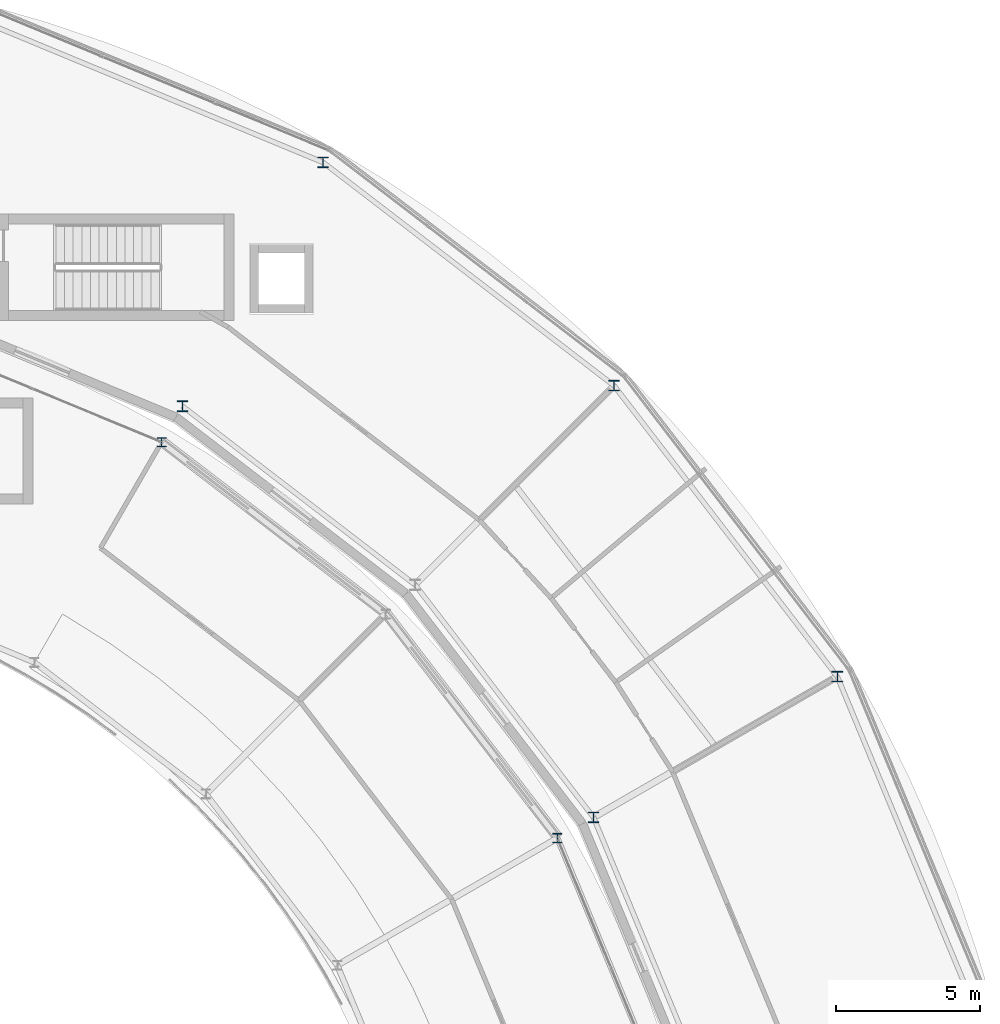
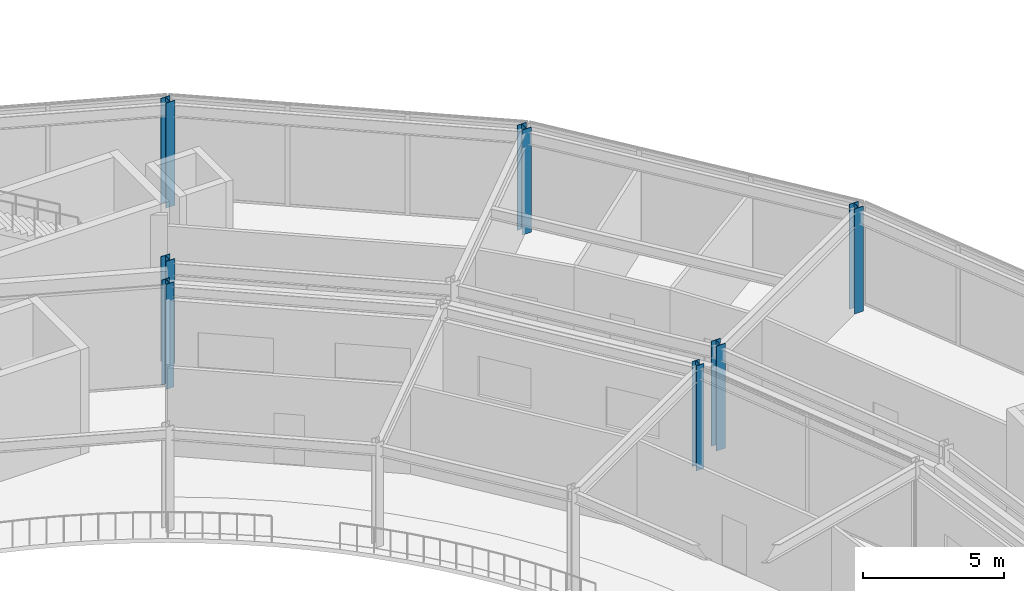
# One storey, part 15 of 157: 7 columns.
"""IFC4 building model written with IfcOpenShell, lengths in metres."""

from ifc_helpers import new_model, si_unit, direction, frame, origin, origin_2d, place, context, subcontext, project, spatial, i_section, extrude, material, material_profile, profile_set, type_object, element, save


model = new_model("IFC4")

# Units and contexts
model_context = context("Model", 3, precision=1e-05, world=origin(), true_north=direction((0.0, 1.0)))
body_context = subcontext(model_context, "Body", "Model", "MODEL_VIEW")
ifc_project = project(units=[si_unit("LENGTHUNIT", "METRE"), si_unit("AREAUNIT", "SQUARE_METRE"), si_unit("VOLUMEUNIT", "CUBIC_METRE"), si_unit("PLANEANGLEUNIT", "RADIAN"), si_unit("MASSUNIT", "GRAM", prefix="KILO")], contexts=[model_context])

# Site, building, storey
site_placement = place(None, origin())
site = spatial("IfcSite", under=ifc_project, at=site_placement, CompositionType="ELEMENT")
building_placement = place(site_placement, origin())
building = spatial("IfcBuilding", under=site, at=building_placement, Name="Almandine Court Research Institute", CompositionType="ELEMENT")
storey_placement = place(building_placement, frame((0.0, 0.0, 5.25)))
storey = spatial("IfcBuildingStorey", under=building, at=storey_placement, Name="L01", CompositionType="ELEMENT", Elevation=5.25)

# Columns
ifc_material = material(Name="Steel ASTM A992 Grade 50", Category="steel")
ifc_material_profile_1 = material_profile(ifc_material, i_section(OverallWidth=0.373046875, OverallDepth=0.367919921875, WebThickness=0.01708984375, FlangeThickness=0.027099609375, at=origin_2d()), Name="W360x179")
ifc_profile_set_1 = profile_set([ifc_material_profile_1], Name="Steel ASTM A992 Grade 50")
column_type_1 = type_object("IfcColumnType", Name="Col-C-W03-E", PredefinedType="COLUMN", material=ifc_profile_set_1)
for number, where, z_axis, x_axis, name in (
    (1, (120.862060546875, 75.550048828125, 0.0), (0.0, 0.0, 1.0), (1.0, 0.0, 0.0), "L01 V5 Column V5-IN-S02"),
    (2, (129.34912109375, 80.449951171875, 0.0), (0.0, 0.0, 1.0), (1.0, 0.0, 0.0), "L01 V5 Column V5-OUT-S02"),
    (3, (121.577880859375, 90.577880859375, 0.0), (0.0, 0.0, 1.0), (1.0, 0.0, 0.0), "L01 V5 Column V5-OUT-S03"),
    (4, (106.550048828125, 89.862060546875, 0.0), (0.0, 0.0, 1.0), (1.0, 0.0, 0.0), "L01 V5 Column V5-IN-S04"),
    (5, (111.449951171875, 98.34912109375, 0.0), (0.0, 0.0, 1.0), (1.0, 0.0, 0.0), "L01 V5 Column V5-OUT-S04"),
):
    element("IfcColumn", number, at=place(storey_placement, frame(where, z_axis=z_axis, x_axis=x_axis)), inside=storey, type_object=column_type_1, Name=name, PredefinedType="COLUMN", context=body_context, shape_type="SweptSolid", body=[
        extrude(i_section(OverallWidth=0.373046875, OverallDepth=0.367919921875, WebThickness=0.01708984375, FlangeThickness=0.027099609375, at=origin_2d()), origin(), (0.0, 0.0, 1.0), 4.550048828125),
    ])
ifc_material_profile_2 = material_profile(ifc_material, i_section(OverallWidth=0.31005859375, OverallDepth=0.326904296875, WebThickness=0.01611328125, FlangeThickness=0.02490234375, at=origin_2d()), Name="W310x158")
ifc_profile_set_2 = profile_set([ifc_material_profile_2], Name="Steel ASTM A992 Grade 50")
column_type_2 = type_object("IfcColumnType", Name="Col-C-W06", PredefinedType="COLUMN", material=ifc_profile_set_2)
for number, where, z_axis, x_axis, name in (
    (6, (119.60595703125, 74.824951171875, 0.0), (0.0, 0.0, 1.0), (1.0, 0.0, 0.0), "L01 V2 Column V2-OUT-S02"),
    (7, (105.824951171875, 88.60595703125, 0.0), (0.0, 0.0, 1.0), (1.0, 0.0, 0.0), "L01 V2 Column V2-OUT-S04"),
):
    element("IfcColumn", number, at=place(storey_placement, frame(where, z_axis=z_axis, x_axis=x_axis)), inside=storey, type_object=column_type_2, Name=name, PredefinedType="COLUMN", context=body_context, shape_type="SweptSolid", body=[
        extrude(i_section(OverallWidth=0.31005859375, OverallDepth=0.326904296875, WebThickness=0.01611328125, FlangeThickness=0.02490234375, at=origin_2d()), origin(), (0.0, 0.0, 1.0), 4.550048828125),
    ])

save(model, "model.ifc")
